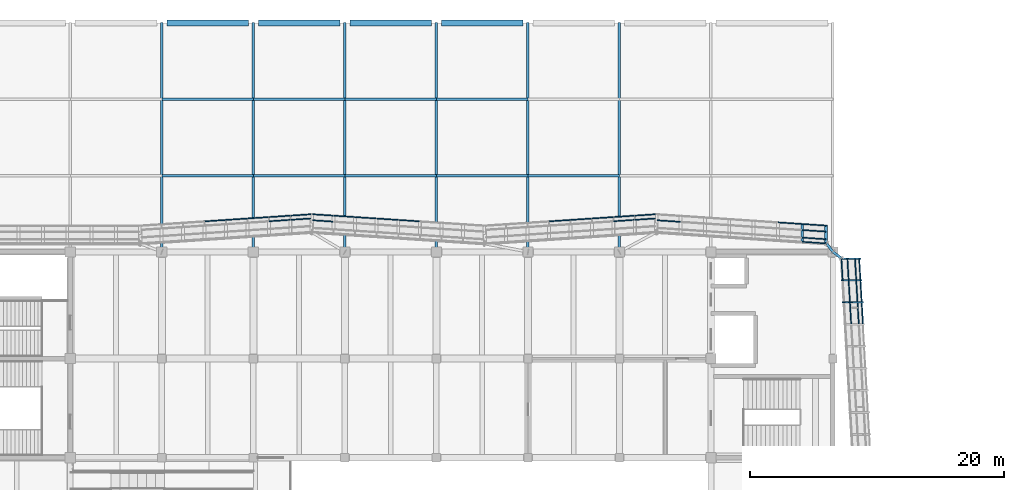
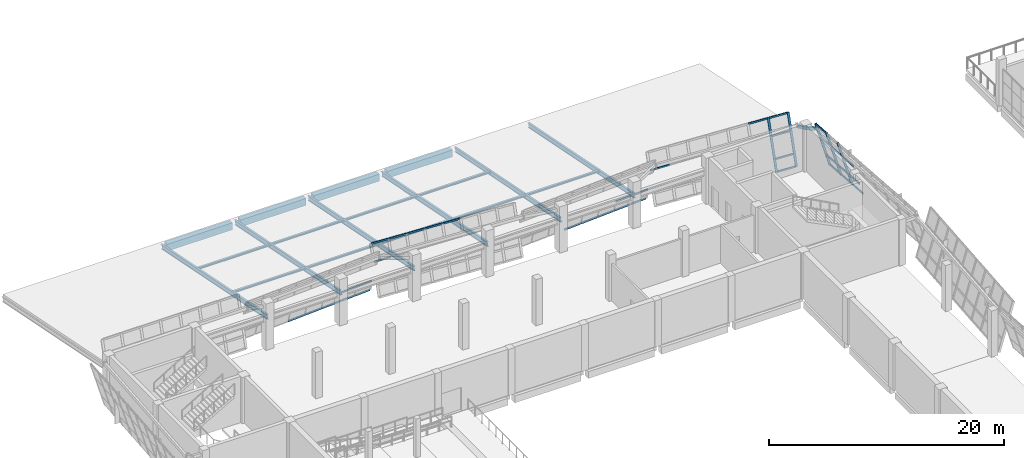
# One storey, part 31 of 79: 50 members, 12 beams, 5 elements without a shape of their own.
"""IFC4 building model written with IfcOpenShell, lengths in metres."""

from ifc_helpers import new_model, si_unit, direction, frame, origin, origin_2d, place, context, subcontext, project, spatial, rectangle, hollow_rectangle, i_section, extrude, material, material_profile, profile_set, type_object, element, aggregate, save


model = new_model("IFC4")

# Units and contexts
model_context = context("Model", 3, precision=1e-05, world=origin(), true_north=direction((0.0, 1.0)))
body_context = subcontext(model_context, "Body", "Model", "MODEL_VIEW")
ifc_project = project(units=[si_unit("LENGTHUNIT", "METRE"), si_unit("AREAUNIT", "SQUARE_METRE"), si_unit("VOLUMEUNIT", "CUBIC_METRE"), si_unit("PLANEANGLEUNIT", "RADIAN"), si_unit("MASSUNIT", "GRAM", prefix="KILO")], contexts=[model_context])

# Site, building, storey
site_placement = place(None, origin())
site = spatial("IfcSite", under=ifc_project, at=site_placement, CompositionType="ELEMENT")
building_placement = place(site_placement, origin())
building = spatial("IfcBuilding", under=site, at=building_placement, Name="Pellamere Symphony Hall", CompositionType="ELEMENT")
storey_placement = place(building_placement, frame((0.0, 0.0, 10.199951171875)))
storey = spatial("IfcBuildingStorey", under=building, at=storey_placement, Name="L02", CompositionType="ELEMENT", Elevation=10.199951171875)

# Curtain wall, members
ifc_material_1 = material(Name="Thermally Broken Anodised Aluminium 6063-T6 Curtain Wall", Category="aluminium")
curtain_wall_type = type_object("IfcCurtainWallType", Name="Curtain Wall CW-01 (Tilted Faceted Crystal Low-Iron Curtain Wall)", PredefinedType="NOTDEFINED", material=ifc_material_1)
curtain_wall_1_placement = place(storey_placement, origin())
curtain_wall_1 = element("IfcCurtainWall", 1, at=curtain_wall_1_placement, inside=storey, type_object=curtain_wall_type, Name="Crystal Faceted Curtain Wall CW-CR09 (L02)", PredefinedType="NOTDEFINED")
ifc_material_2 = material(Name="Anodised Architectural Aluminium 6063-T6", Category="aluminium")
ifc_material_profile_1 = material_profile(ifc_material_2, hollow_rectangle(XDim=0.074951171875, YDim=0.219970703125, WallThickness=0.0048828125, at=origin_2d()), Name="ALU-M75X220X5")
ifc_profile_set_1 = profile_set([ifc_material_profile_1], Name="Anodised Architectural Aluminium 6063-T6")
member_type_1 = type_object("IfcMemberType", Name="Curtain Wall Mullion ML-01 ALU-M75X220X5", PredefinedType="MULLION", material=ifc_profile_set_1)
member_1_placement = place(storey_placement, frame((121.07177734375, 89.63330078125, 0.0), z_axis=(-0.284021911736, 0.0, 0.9588177896), x_axis=(-0.055224582463, 0.998339941676, -0.016358678005)))
member_1 = element("IfcMember", 2, at=member_1_placement, type_object=member_type_1, Name="CW1-019 crystal mullion 8", PredefinedType="MULLION", context=body_context, shape_type="SweptSolid", body=[
    extrude(hollow_rectangle(XDim=0.074951171875, YDim=0.219970703125, WallThickness=0.0048828125, at=origin_2d()), origin(), (0.0, 0.0, 1.0), 5.006103515625),
])
member_2_placement = place(storey_placement, frame((120.9716796875, 91.36669921875, 0.0), z_axis=(-0.283977077304, 0.0, 0.958831069358), x_axis=(-0.055225347331, 0.998339941676, -0.016356095697)))
member_2 = element("IfcMember", 3, at=member_2_placement, type_object=member_type_1, Name="CW1-019 crystal mullion 9", PredefinedType="MULLION", context=body_context, shape_type="SweptSolid", body=[
    extrude(hollow_rectangle(XDim=0.074951171875, YDim=0.219970703125, WallThickness=0.0048828125, at=origin_2d()), origin(), (0.0, 0.0, 1.0), 5.006103515625),
])
member_3_placement = place(storey_placement, frame((120.8740234375, 93.0625, 0.0), z_axis=(-0.284021911736, 0.0, 0.9588177896), x_axis=(-0.055224582463, 0.998339941676, -0.016358678005)))
member_3 = element("IfcMember", 4, at=member_3_placement, type_object=member_type_1, Name="CW1-019 crystal mullion 10", PredefinedType="MULLION", context=body_context, shape_type="SweptSolid", body=[
    extrude(hollow_rectangle(XDim=0.074951171875, YDim=0.219970703125, WallThickness=0.0048828125, at=origin_2d()), origin(), (0.0, 0.0, 1.0), 5.006103515625),
])

curtain_wall_2_placement = place(storey_placement, origin())
curtain_wall_2 = element("IfcCurtainWall", 5, at=curtain_wall_2_placement, inside=storey, type_object=curtain_wall_type, Name="Crystal Faceted Curtain Wall CW-CR10 (L02)", PredefinedType="NOTDEFINED")
member_4_placement = place(storey_placement, frame((118.2626953125, 94.25244140625, 0.0), z_axis=(0.0, 0.284021911736, 0.9588177896), x_axis=(0.067013200006, 0.956662452506, -0.283383455745)))
member_4 = element("IfcMember", 6, at=member_4_placement, type_object=member_type_1, Name="CW1-022 crystal mullion 1", PredefinedType="MULLION", context=body_context, shape_type="SweptSolid", body=[
    extrude(hollow_rectangle(XDim=0.074951171875, YDim=0.219970703125, WallThickness=0.0048828125, at=origin_2d()), origin(), (0.0, 0.0, 1.0), 5.006103515625),
])
member_5_placement = place(storey_placement, frame((116.3857421875, 94.378662109375, 0.0), z_axis=(0.0, 0.283977077304, 0.958831069358), x_axis=(0.067013200006, 0.956675702412, -0.283338722097)))
member_5 = element("IfcMember", 7, at=member_5_placement, type_object=member_type_1, Name="CW1-022 crystal mullion 2", PredefinedType="MULLION", context=body_context, shape_type="SweptSolid", body=[
    extrude(hollow_rectangle(XDim=0.074951171875, YDim=0.219970703125, WallThickness=0.0048828125, at=origin_2d()), origin(), (0.0, 0.0, 1.0), 5.006103515625),
])

# Member
ifc_material_profile_2 = material_profile(ifc_material_2, hollow_rectangle(XDim=0.074951171875, YDim=0.179931640625, WallThickness=0.0048828125, at=origin_2d()), Name="ALU-T75X180X5")
ifc_profile_set_2 = profile_set([ifc_material_profile_2], Name="Anodised Architectural Aluminium 6063-T6")
member_type_2 = type_object("IfcMemberType", Name="Curtain Wall Transom TR-01 ALU-T75X180X5", PredefinedType="USERDEFINED", material=ifc_profile_set_2)
member_6_placement = place(storey_placement, frame((121.158935546875, 87.9375, 0.035888671875), z_axis=(-0.057610619545, 0.998339129012, 0.0), x_axis=(-0.998339129012, -0.057610619545, 0.0)))
member_6 = element("IfcMember", 8, at=member_6_placement, type_object=member_type_2, Name="CW1-019 crystal transom 7.1", ObjectType="TRANSOM", PredefinedType="USERDEFINED", context=body_context, shape_type="SweptSolid", body=[
    extrude(hollow_rectangle(XDim=0.074951171875, YDim=0.179931640625, WallThickness=0.0048828125, at=origin_2d()), origin(), (0.0, 0.0, 1.0), 1.6611328125),
])

member_7_placement = place(storey_placement, frame((120.828369140625, 87.9375, 1.152099609375), z_axis=(-0.057610619545, 0.998339129012, 0.0), x_axis=(-0.998339129012, -0.057610619545, 0.0)))
member_7 = element("IfcMember", 9, at=member_7_placement, type_object=member_type_2, Name="CW1-019 crystal transom 7.2", ObjectType="TRANSOM", PredefinedType="USERDEFINED", context=body_context, shape_type="SweptSolid", body=[
    extrude(hollow_rectangle(XDim=0.074951171875, YDim=0.179931640625, WallThickness=0.0048828125, at=origin_2d()), origin(), (0.0, 0.0, 1.0), 1.6611328125),
])

member_8_placement = place(storey_placement, frame((120.231201171875, 87.9375, 3.16796875), z_axis=(-0.057610619545, 0.998339129012, 0.0), x_axis=(-0.998339129012, -0.057610619545, 0.0)))
member_8 = element("IfcMember", 10, at=member_8_placement, type_object=member_type_2, Name="CW1-019 crystal transom 7.3", ObjectType="TRANSOM", PredefinedType="USERDEFINED", context=body_context, shape_type="SweptSolid", body=[
    extrude(hollow_rectangle(XDim=0.074951171875, YDim=0.179931640625, WallThickness=0.0048828125, at=origin_2d()), origin(), (0.0, 0.0, 1.0), 1.6611328125),
])

member_9_placement = place(storey_placement, frame((121.05908203125, 89.670654296875, 0.035888671875), z_axis=(-0.057602168051, 0.998339616682, 0.0), x_axis=(-0.998339616682, -0.057602168051, 0.0)))
member_9 = element("IfcMember", 11, at=member_9_placement, type_object=member_type_2, Name="CW1-019 crystal transom 8.1", ObjectType="TRANSOM", PredefinedType="USERDEFINED", context=body_context, shape_type="SweptSolid", body=[
    extrude(hollow_rectangle(XDim=0.074951171875, YDim=0.179931640625, WallThickness=0.0048828125, at=origin_2d()), origin(), (0.0, 0.0, 1.0), 1.661376953125),
])

member_10_placement = place(storey_placement, frame((120.728515625, 89.670654296875, 1.152099609375), z_axis=(-0.057602168051, 0.998339616682, 0.0), x_axis=(-0.998339616682, -0.057602168051, 0.0)))
member_10 = element("IfcMember", 12, at=member_10_placement, type_object=member_type_2, Name="CW1-019 crystal transom 8.2", ObjectType="TRANSOM", PredefinedType="USERDEFINED", context=body_context, shape_type="SweptSolid", body=[
    extrude(hollow_rectangle(XDim=0.074951171875, YDim=0.179931640625, WallThickness=0.0048828125, at=origin_2d()), origin(), (0.0, 0.0, 1.0), 1.661376953125),
])

member_11_placement = place(storey_placement, frame((120.13134765625, 89.670654296875, 3.16796875), z_axis=(-0.057602168051, 0.998339616682, 0.0), x_axis=(-0.998339616682, -0.057602168051, 0.0)))
member_11 = element("IfcMember", 13, at=member_11_placement, type_object=member_type_2, Name="CW1-019 crystal transom 8.3", ObjectType="TRANSOM", PredefinedType="USERDEFINED", context=body_context, shape_type="SweptSolid", body=[
    extrude(hollow_rectangle(XDim=0.074951171875, YDim=0.179931640625, WallThickness=0.0048828125, at=origin_2d()), origin(), (0.0, 0.0, 1.0), 1.661376953125),
])

member_12_placement = place(storey_placement, frame((120.958984375, 91.404052734375, 0.035888671875), z_axis=(-0.057585007883, 0.99834060664, 0.0), x_axis=(-0.99834060664, -0.057585007883, 0.0)))
member_12 = element("IfcMember", 14, at=member_12_placement, type_object=member_type_2, Name="CW1-019 crystal transom 9.1", ObjectType="TRANSOM", PredefinedType="USERDEFINED", context=body_context, shape_type="SweptSolid", body=[
    extrude(hollow_rectangle(XDim=0.074951171875, YDim=0.179931640625, WallThickness=0.0048828125, at=origin_2d()), origin(), (0.0, 0.0, 1.0), 1.623779296875),
])

member_13_placement = place(storey_placement, frame((120.62841796875, 91.404052734375, 1.152099609375), z_axis=(-0.057585007883, 0.99834060664, 0.0), x_axis=(-0.99834060664, -0.057585007883, 0.0)))
member_13 = element("IfcMember", 15, at=member_13_placement, type_object=member_type_2, Name="CW1-019 crystal transom 9.2", ObjectType="TRANSOM", PredefinedType="USERDEFINED", context=body_context, shape_type="SweptSolid", body=[
    extrude(hollow_rectangle(XDim=0.074951171875, YDim=0.179931640625, WallThickness=0.0048828125, at=origin_2d()), origin(), (0.0, 0.0, 1.0), 1.623779296875),
])

member_14_placement = place(storey_placement, frame((120.03125, 91.404052734375, 3.16796875), z_axis=(-0.057585007883, 0.99834060664, 0.0), x_axis=(-0.99834060664, -0.057585007883, 0.0)))
member_14 = element("IfcMember", 16, at=member_14_placement, type_object=member_type_2, Name="CW1-019 crystal transom 9.3", ObjectType="TRANSOM", PredefinedType="USERDEFINED", context=body_context, shape_type="SweptSolid", body=[
    extrude(hollow_rectangle(XDim=0.074951171875, YDim=0.179931640625, WallThickness=0.0048828125, at=origin_2d()), origin(), (0.0, 0.0, 1.0), 1.623779296875),
])

member_15_placement = place(storey_placement, frame((119.55859375, 91.404052734375, 4.76416015625), z_axis=(-0.057585007883, 0.99834060664, 0.0), x_axis=(-0.99834060664, -0.057585007883, 0.0)))
member_15 = element("IfcMember", 17, at=member_15_placement, type_object=member_type_2, Name="CW1-019 crystal transom 9.4", ObjectType="TRANSOM", PredefinedType="USERDEFINED", context=body_context, shape_type="SweptSolid", body=[
    extrude(hollow_rectangle(XDim=0.074951171875, YDim=0.179931640625, WallThickness=0.0048828125, at=origin_2d()), origin(), (0.0, 0.0, 1.0), 1.623779296875),
])

aggregate(curtain_wall_1, [member_1, member_2, member_3, member_6, member_7, member_8, member_9, member_10, member_11, member_12, member_13, member_14, member_15])

member_16_placement = place(storey_placement, frame((118.22509765625, 94.265625, 0.035888671875), z_axis=(-0.997749727577, 0.067048349123, 0.0), x_axis=(-0.067048349123, -0.997749727577, 0.0)))
member_16 = element("IfcMember", 18, at=member_16_placement, type_object=member_type_2, Name="CW1-022 crystal transom 1.1", ObjectType="TRANSOM", PredefinedType="USERDEFINED", context=body_context, shape_type="SweptSolid", body=[
    extrude(hollow_rectangle(XDim=0.074951171875, YDim=0.179931640625, WallThickness=0.0048828125, at=origin_2d()), origin(), (0.0, 0.0, 1.0), 1.80615234375),
])

member_17_placement = place(storey_placement, frame((118.22509765625, 94.59619140625, 1.152099609375), z_axis=(-0.997749727577, 0.067048349123, 0.0), x_axis=(-0.067048349123, -0.997749727577, 0.0)))
member_17 = element("IfcMember", 19, at=member_17_placement, type_object=member_type_2, Name="CW1-022 crystal transom 1.2", ObjectType="TRANSOM", PredefinedType="USERDEFINED", context=body_context, shape_type="SweptSolid", body=[
    extrude(hollow_rectangle(XDim=0.074951171875, YDim=0.179931640625, WallThickness=0.0048828125, at=origin_2d()), origin(), (0.0, 0.0, 1.0), 1.80615234375),
])

member_18_placement = place(storey_placement, frame((118.22509765625, 95.193359375, 3.16796875), z_axis=(-0.997749727577, 0.067048349123, 0.0), x_axis=(-0.067048349123, -0.997749727577, 0.0)))
member_18 = element("IfcMember", 20, at=member_18_placement, type_object=member_type_2, Name="CW1-022 crystal transom 1.3", ObjectType="TRANSOM", PredefinedType="USERDEFINED", context=body_context, shape_type="SweptSolid", body=[
    extrude(hollow_rectangle(XDim=0.074951171875, YDim=0.179931640625, WallThickness=0.0048828125, at=origin_2d()), origin(), (0.0, 0.0, 1.0), 1.80615234375),
])

member_19_placement = place(storey_placement, frame((118.22509765625, 95.666259765625, 4.76416015625), z_axis=(-0.997758761658, 0.066913776862, 0.0), x_axis=(-0.066913776862, -0.997758761658, 0.0)))
member_19 = element("IfcMember", 21, at=member_19_placement, type_object=member_type_2, Name="CW1-022 crystal transom 1.4", ObjectType="TRANSOM", PredefinedType="USERDEFINED", context=body_context, shape_type="SweptSolid", body=[
    extrude(hollow_rectangle(XDim=0.074951171875, YDim=0.179931640625, WallThickness=0.0048828125, at=origin_2d()), origin(), (0.0, 0.0, 1.0), 1.80615234375),
])

member_20_placement = place(storey_placement, frame((116.348388671875, 95.792236328125, 4.76416015625), z_axis=(-0.997752815695, 0.067002378864, 0.0), x_axis=(-0.067002378864, -0.997752815695, 0.0)))
member_20 = element("IfcMember", 22, at=member_20_placement, type_object=member_type_2, Name="CW1-022 crystal transom 2.4", ObjectType="TRANSOM", PredefinedType="USERDEFINED", context=body_context, shape_type="SweptSolid", body=[
    extrude(hollow_rectangle(XDim=0.074951171875, YDim=0.179931640625, WallThickness=0.0048828125, at=origin_2d()), origin(), (0.0, 0.0, 1.0), 1.84375),
])

member_21_placement = place(storey_placement, frame((106.77685546875, 95.96240234375, 3.16796875), z_axis=(-0.997758761658, 0.066913776862, 0.0), x_axis=(-0.066913776862, -0.997758761658, 0.0)))
member_21 = element("IfcMember", 23, at=member_21_placement, type_object=member_type_2, Name="CW1-022 crystal transom 7.3", ObjectType="TRANSOM", PredefinedType="USERDEFINED", context=body_context, shape_type="SweptSolid", body=[
    extrude(hollow_rectangle(XDim=0.074951171875, YDim=0.179931640625, WallThickness=0.0048828125, at=origin_2d()), origin(), (0.0, 0.0, 1.0), 1.80615234375),
])

aggregate(curtain_wall_2, [member_4, member_5, member_16, member_17, member_18, member_19, member_20, member_21])

# Curtain wall, members
curtain_wall_3_placement = place(storey_placement, origin())
curtain_wall_3 = element("IfcCurtainWall", 24, at=curtain_wall_3_placement, inside=storey, type_object=curtain_wall_type, Name="Crystal Faceted Curtain Wall CW-CR11 (L02)", PredefinedType="NOTDEFINED")
member_22_placement = place(storey_placement, frame((104.8251953125, 96.55615234375, 0.035888671875), z_axis=(-0.997786526209, -0.066498482063, 0.0), x_axis=(0.066498482063, -0.997786526209, 0.0)))
member_22 = element("IfcMember", 25, at=member_22_placement, type_object=member_type_2, Name="CW1-025 crystal transom 1.1", ObjectType="TRANSOM", PredefinedType="USERDEFINED", context=body_context, shape_type="SweptSolid", body=[
    extrude(hollow_rectangle(XDim=0.074951171875, YDim=0.179931640625, WallThickness=0.0048828125, at=origin_2d()), origin(), (0.0, 0.0, 1.0), 1.57861328125),
])
member_23_placement = place(storey_placement, frame((104.8251953125, 96.2255859375, 1.152099609375), z_axis=(-0.997786526209, -0.066498482063, 0.0), x_axis=(0.066498482063, -0.997786526209, 0.0)))
member_23 = element("IfcMember", 26, at=member_23_placement, type_object=member_type_2, Name="CW1-025 crystal transom 1.2", ObjectType="TRANSOM", PredefinedType="USERDEFINED", context=body_context, shape_type="SweptSolid", body=[
    extrude(hollow_rectangle(XDim=0.074951171875, YDim=0.179931640625, WallThickness=0.0048828125, at=origin_2d()), origin(), (0.0, 0.0, 1.0), 1.57861328125),
])
member_24_placement = place(storey_placement, frame((103.175048828125, 96.446044921875, 0.035888671875), z_axis=(-0.997788498757, -0.06646887804, 0.0), x_axis=(0.06646887804, -0.997788498757, 0.0)))
member_24 = element("IfcMember", 27, at=member_24_placement, type_object=member_type_2, Name="CW1-025 crystal transom 2.1", ObjectType="TRANSOM", PredefinedType="USERDEFINED", context=body_context, shape_type="SweptSolid", body=[
    extrude(hollow_rectangle(XDim=0.074951171875, YDim=0.179931640625, WallThickness=0.0048828125, at=origin_2d()), origin(), (0.0, 0.0, 1.0), 1.6162109375),
])
member_25_placement = place(storey_placement, frame((103.175048828125, 96.115478515625, 1.152099609375), z_axis=(-0.997788498757, -0.06646887804, 0.0), x_axis=(0.06646887804, -0.997788498757, 0.0)))
member_25 = element("IfcMember", 28, at=member_25_placement, type_object=member_type_2, Name="CW1-025 crystal transom 2.2", ObjectType="TRANSOM", PredefinedType="USERDEFINED", context=body_context, shape_type="SweptSolid", body=[
    extrude(hollow_rectangle(XDim=0.074951171875, YDim=0.179931640625, WallThickness=0.0048828125, at=origin_2d()), origin(), (0.0, 0.0, 1.0), 1.6162109375),
])
member_26_placement = place(storey_placement, frame((101.487548828125, 96.333740234375, 0.035888671875), z_axis=(-0.997778468566, -0.06661927398, 0.0), x_axis=(0.06661927398, -0.997778468566, 0.0)))
member_26 = element("IfcMember", 29, at=member_26_placement, type_object=member_type_2, Name="CW1-025 crystal transom 3.1", ObjectType="TRANSOM", PredefinedType="USERDEFINED", context=body_context, shape_type="SweptSolid", body=[
    extrude(hollow_rectangle(XDim=0.074951171875, YDim=0.179931640625, WallThickness=0.0048828125, at=origin_2d()), origin(), (0.0, 0.0, 1.0), 1.6162109375),
])
member_27_placement = place(storey_placement, frame((99.800048828125, 96.22119140625, 0.035888671875), z_axis=(-0.997778468566, -0.06661927398, 0.0), x_axis=(0.06661927398, -0.997778468566, 0.0)))
member_27 = element("IfcMember", 30, at=member_27_placement, type_object=member_type_2, Name="CW1-025 crystal transom 4.1", ObjectType="TRANSOM", PredefinedType="USERDEFINED", context=body_context, shape_type="SweptSolid", body=[
    extrude(hollow_rectangle(XDim=0.074951171875, YDim=0.179931640625, WallThickness=0.0048828125, at=origin_2d()), origin(), (0.0, 0.0, 1.0), 1.6162109375),
])
member_28_placement = place(storey_placement, frame((98.112548828125, 96.108642578125, 0.035888671875), z_axis=(-0.997788498757, -0.06646887804, 0.0), x_axis=(0.06646887804, -0.997788498757, 0.0)))
member_28 = element("IfcMember", 31, at=member_28_placement, type_object=member_type_2, Name="CW1-025 crystal transom 5.1", ObjectType="TRANSOM", PredefinedType="USERDEFINED", context=body_context, shape_type="SweptSolid", body=[
    extrude(hollow_rectangle(XDim=0.074951171875, YDim=0.179931640625, WallThickness=0.0048828125, at=origin_2d()), origin(), (0.0, 0.0, 1.0), 1.6162109375),
])
aggregate(curtain_wall_3, [member_22, member_23, member_24, member_25, member_26, member_27, member_28])

curtain_wall_4_placement = place(storey_placement, origin())
curtain_wall_4 = element("IfcCurtainWall", 32, at=curtain_wall_4_placement, inside=storey, type_object=curtain_wall_type, Name="Crystal Faceted Curtain Wall CW-CR12 (L02)", PredefinedType="NOTDEFINED")
member_29_placement = place(storey_placement, frame((86.2626953125, 96.001220703125, 4.76416015625), z_axis=(-0.997822801026, 0.065951935174, 0.0), x_axis=(-0.065951935174, -0.997822801026, 0.0)))
member_29 = element("IfcMember", 33, at=member_29_placement, type_object=member_type_2, Name="CW1-028 crystal transom 4.4", ObjectType="TRANSOM", PredefinedType="USERDEFINED", context=body_context, shape_type="SweptSolid", body=[
    extrude(hollow_rectangle(XDim=0.074951171875, YDim=0.179931640625, WallThickness=0.0048828125, at=origin_2d()), origin(), (0.0, 0.0, 1.0), 1.62890625),
])
member_30_placement = place(storey_placement, frame((84.5625, 96.113525390625, 4.76416015625), z_axis=(-0.997812270832, 0.066111059411, 0.0), x_axis=(-0.066111059411, -0.997812270832, 0.0)))
member_30 = element("IfcMember", 34, at=member_30_placement, type_object=member_type_2, Name="CW1-028 crystal transom 5.4", ObjectType="TRANSOM", PredefinedType="USERDEFINED", context=body_context, shape_type="SweptSolid", body=[
    extrude(hollow_rectangle(XDim=0.074951171875, YDim=0.179931640625, WallThickness=0.0048828125, at=origin_2d()), origin(), (0.0, 0.0, 1.0), 1.628662109375),
])
member_31_placement = place(storey_placement, frame((82.862548828125, 96.22607421875, 4.76416015625), z_axis=(-0.9978129259, 0.066101171747, 0.0), x_axis=(-0.066101171747, -0.9978129259, 0.0)))
member_31 = element("IfcMember", 35, at=member_31_placement, type_object=member_type_2, Name="CW1-028 crystal transom 6.4", ObjectType="TRANSOM", PredefinedType="USERDEFINED", context=body_context, shape_type="SweptSolid", body=[
    extrude(hollow_rectangle(XDim=0.074951171875, YDim=0.179931640625, WallThickness=0.0048828125, at=origin_2d()), origin(), (0.0, 0.0, 1.0), 1.62890625),
])
member_32_placement = place(storey_placement, frame((81.16259765625, 96.338623046875, 4.76416015625), z_axis=(-0.9978129259, 0.066101171747, 0.0), x_axis=(-0.066101171747, -0.9978129259, 0.0)))
member_32 = element("IfcMember", 36, at=member_32_placement, type_object=member_type_2, Name="CW1-028 crystal transom 7.4", ObjectType="TRANSOM", PredefinedType="USERDEFINED", context=body_context, shape_type="SweptSolid", body=[
    extrude(hollow_rectangle(XDim=0.074951171875, YDim=0.179931640625, WallThickness=0.0048828125, at=origin_2d()), origin(), (0.0, 0.0, 1.0), 1.62890625),
])
member_33_placement = place(storey_placement, frame((79.462646484375, 95.978271484375, 3.16796875), z_axis=(-0.997811553112, 0.06612189105, 0.0), x_axis=(-0.06612189105, -0.997811553112, 0.0)))
member_33 = element("IfcMember", 37, at=member_33_placement, type_object=member_type_2, Name="CW1-028 crystal transom 8.3", ObjectType="TRANSOM", PredefinedType="USERDEFINED", context=body_context, shape_type="SweptSolid", body=[
    extrude(hollow_rectangle(XDim=0.074951171875, YDim=0.179931640625, WallThickness=0.0048828125, at=origin_2d()), origin(), (0.0, 0.0, 1.0), 1.59130859375),
])
member_34_placement = place(storey_placement, frame((79.462646484375, 96.451171875, 4.76416015625), z_axis=(-0.997821663418, 0.065969144414, 0.0), x_axis=(-0.065969144414, -0.997821663418, 0.0)))
member_34 = element("IfcMember", 38, at=member_34_placement, type_object=member_type_2, Name="CW1-028 crystal transom 8.4", ObjectType="TRANSOM", PredefinedType="USERDEFINED", context=body_context, shape_type="SweptSolid", body=[
    extrude(hollow_rectangle(XDim=0.074951171875, YDim=0.179931640625, WallThickness=0.0048828125, at=origin_2d()), origin(), (0.0, 0.0, 1.0), 1.59130859375),
])
aggregate(curtain_wall_4, [member_29, member_30, member_31, member_32, member_33, member_34])

curtain_wall_5_placement = place(storey_placement, origin())
curtain_wall_5 = element("IfcCurtainWall", 39, at=curtain_wall_5_placement, inside=storey, type_object=curtain_wall_type, Name="Crystal Faceted Curtain Wall CW-CR13 (L02)", PredefinedType="NOTDEFINED")
member_35_placement = place(storey_placement, frame((77.72509765625, 96.55615234375, 0.035888671875), z_axis=(-0.997786526209, -0.066498482063, 0.0), x_axis=(0.066498482063, -0.997786526209, 0.0)))
member_35 = element("IfcMember", 40, at=member_35_placement, type_object=member_type_2, Name="CW1-031 crystal transom 1.1", ObjectType="TRANSOM", PredefinedType="USERDEFINED", context=body_context, shape_type="SweptSolid", body=[
    extrude(hollow_rectangle(XDim=0.074951171875, YDim=0.179931640625, WallThickness=0.0048828125, at=origin_2d()), origin(), (0.0, 0.0, 1.0), 1.57861328125),
])
member_36_placement = place(storey_placement, frame((77.72509765625, 96.2255859375, 1.152099609375), z_axis=(-0.997786526209, -0.066498482063, 0.0), x_axis=(0.066498482063, -0.997786526209, 0.0)))
member_36 = element("IfcMember", 41, at=member_36_placement, type_object=member_type_2, Name="CW1-031 crystal transom 1.2", ObjectType="TRANSOM", PredefinedType="USERDEFINED", context=body_context, shape_type="SweptSolid", body=[
    extrude(hollow_rectangle(XDim=0.074951171875, YDim=0.179931640625, WallThickness=0.0048828125, at=origin_2d()), origin(), (0.0, 0.0, 1.0), 1.57861328125),
])
member_37_placement = place(storey_placement, frame((76.0751953125, 96.446044921875, 0.035888671875), z_axis=(-0.997789166031, -0.066458860589, 0.0), x_axis=(0.066458860589, -0.997789166031, 0.0)))
member_37 = element("IfcMember", 42, at=member_37_placement, type_object=member_type_2, Name="CW1-031 crystal transom 2.1", ObjectType="TRANSOM", PredefinedType="USERDEFINED", context=body_context, shape_type="SweptSolid", body=[
    extrude(hollow_rectangle(XDim=0.074951171875, YDim=0.179931640625, WallThickness=0.0048828125, at=origin_2d()), origin(), (0.0, 0.0, 1.0), 1.616455078125),
])
member_38_placement = place(storey_placement, frame((76.0751953125, 96.115478515625, 1.152099609375), z_axis=(-0.997789166031, -0.066458860589, 0.0), x_axis=(0.066458860589, -0.997789166031, 0.0)))
member_38 = element("IfcMember", 43, at=member_38_placement, type_object=member_type_2, Name="CW1-031 crystal transom 2.2", ObjectType="TRANSOM", PredefinedType="USERDEFINED", context=body_context, shape_type="SweptSolid", body=[
    extrude(hollow_rectangle(XDim=0.074951171875, YDim=0.179931640625, WallThickness=0.0048828125, at=origin_2d()), origin(), (0.0, 0.0, 1.0), 1.616455078125),
])
member_39_placement = place(storey_placement, frame((74.3876953125, 96.333740234375, 0.035888671875), z_axis=(-0.997779138857, -0.066609234065, 0.0), x_axis=(0.066609234065, -0.997779138857, 0.0)))
member_39 = element("IfcMember", 44, at=member_39_placement, type_object=member_type_2, Name="CW1-031 crystal transom 3.1", ObjectType="TRANSOM", PredefinedType="USERDEFINED", context=body_context, shape_type="SweptSolid", body=[
    extrude(hollow_rectangle(XDim=0.074951171875, YDim=0.179931640625, WallThickness=0.0048828125, at=origin_2d()), origin(), (0.0, 0.0, 1.0), 1.616455078125),
])
member_40_placement = place(storey_placement, frame((72.7001953125, 96.22119140625, 0.035888671875), z_axis=(-0.997779138857, -0.066609234065, 0.0), x_axis=(0.066609234065, -0.997779138857, 0.0)))
member_40 = element("IfcMember", 45, at=member_40_placement, type_object=member_type_2, Name="CW1-031 crystal transom 4.1", ObjectType="TRANSOM", PredefinedType="USERDEFINED", context=body_context, shape_type="SweptSolid", body=[
    extrude(hollow_rectangle(XDim=0.074951171875, YDim=0.179931640625, WallThickness=0.0048828125, at=origin_2d()), origin(), (0.0, 0.0, 1.0), 1.616455078125),
])
member_41_placement = place(storey_placement, frame((71.0126953125, 96.108642578125, 0.035888671875), z_axis=(-0.997789166031, -0.066458860589, 0.0), x_axis=(0.066458860589, -0.997789166031, 0.0)))
member_41 = element("IfcMember", 46, at=member_41_placement, type_object=member_type_2, Name="CW1-031 crystal transom 5.1", ObjectType="TRANSOM", PredefinedType="USERDEFINED", context=body_context, shape_type="SweptSolid", body=[
    extrude(hollow_rectangle(XDim=0.074951171875, YDim=0.179931640625, WallThickness=0.0048828125, at=origin_2d()), origin(), (0.0, 0.0, 1.0), 1.616455078125),
])
aggregate(curtain_wall_5, [member_35, member_36, member_37, member_38, member_39, member_40, member_41])

# Beams
ifc_material_3 = material(Name="Concrete 40 MPa", Category="concrete")
ifc_material_profile_3 = material_profile(ifc_material_3, rectangle(XDim=0.47998046875, YDim=0.719970703125, at=origin_2d()), Name="RC 480x720")
ifc_profile_set_3 = profile_set([ifc_material_profile_3], Name="Concrete 40 MPa")
beam_type_1 = type_object("IfcBeamType", Name="RC CB-14 480x720", PredefinedType="SPANDREL", material=ifc_profile_set_3)
beam_placement = place(storey_placement, frame((66.389892578125, 111.60009765625, -0.639892578125), z_axis=(1.0, 0.0, 0.0), x_axis=(0.0, 1.0, 0.0)))
element("IfcBeam", 47, at=beam_placement, inside=storey, type_object=beam_type_1, Name="Girder CB-14-X1206 (L02)", PredefinedType="SPANDREL", context=body_context, shape_type="SweptSolid", body=[
    extrude(rectangle(XDim=0.47998046875, YDim=0.719970703125, at=origin_2d()), origin(), (0.0, 0.0, 1.0), 6.420166015625),
])
for number, where, z_axis, x_axis, name in (
    (48, (73.590087890625, 111.60009765625, -0.639892578125), (1.0, 0.0, 0.0), (0.0, 1.0, 0.0), "Girder CB-14-X1207 (L02)"),
    (49, (80.7900390625, 111.60009765625, -0.639892578125), (1.0, 0.0, 0.0), (0.0, 1.0, 0.0), "Girder CB-14-X1208 (L02)"),
    (50, (87.989990234375, 111.60009765625, -0.639892578125), (1.0, 0.0, 0.0), (0.0, 1.0, 0.0), "Girder CB-14-X1209 (L02)"),
):
    element("IfcBeam", number, at=place(storey_placement, frame(where, z_axis=z_axis, x_axis=x_axis)), inside=storey, type_object=beam_type_1, Name=name, PredefinedType="SPANDREL", context=body_context, shape_type="SweptSolid", body=[
        extrude(rectangle(XDim=0.47998046875, YDim=0.719970703125, at=origin_2d()), origin(), (0.0, 0.0, 1.0), 6.419921875),
    ])
ifc_material_4 = material(Name="Steel CSA G40.21 350W", Category="steel")
ifc_material_profile_4 = material_profile(ifc_material_4, i_section(OverallWidth=0.194091796875, OverallDepth=0.468994140625, WebThickness=0.011474609375, FlangeThickness=0.019287109375, at=origin_2d()), Name="W460X106")
ifc_profile_set_4 = profile_set([ifc_material_profile_4], Name="Steel CSA G40.21 350W")
beam_type_2 = type_object("IfcBeamType", Name="Steel Beam SB-16 W460X106", PredefinedType="BEAM", material=ifc_profile_set_4)
for number, where, z_axis, x_axis, name in (
    (51, (66.0, 93.60009765625, 3.10009765625), (0.0, 0.980788871826, -0.195072265848), (-1.0, 0.0, 0.0), "Rehearsal Roof Steel Rafter 03"),
    (52, (73.199951171875, 93.60009765625, 3.10009765625), (0.0, 0.980788871826, -0.195072265848), (-1.0, 0.0, 0.0), "Rehearsal Roof Steel Rafter 04"),
    (53, (80.39990234375, 93.60009765625, 3.10009765625), (0.0, 0.980788871826, -0.195072265848), (-1.0, 0.0, 0.0), "Rehearsal Roof Steel Rafter 05"),
    (54, (87.60009765625, 93.60009765625, 3.10009765625), (0.0, 0.980788871826, -0.195072265848), (-1.0, 0.0, 0.0), "Rehearsal Roof Steel Rafter 06"),
    (55, (94.800048828125, 93.60009765625, 3.10009765625), (0.0, 0.980788871826, -0.195072265848), (-1.0, 0.0, 0.0), "Rehearsal Roof Steel Rafter 07"),
    (56, (102.0, 93.60009765625, 3.10009765625), (0.0, 0.980788871826, -0.195072265848), (-1.0, 0.0, 0.0), "Rehearsal Roof Steel Rafter 08"),
):
    element("IfcBeam", number, at=place(storey_placement, frame(where, z_axis=z_axis, x_axis=x_axis)), inside=storey, type_object=beam_type_2, Name=name, PredefinedType="BEAM", context=body_context, shape_type="SweptSolid", body=[
        extrude(i_section(OverallWidth=0.194091796875, OverallDepth=0.468994140625, WebThickness=0.011474609375, FlangeThickness=0.019287109375, at=origin_2d()), origin(), (0.0, 0.0, 1.0), 18.3525390625),
    ])

# Members
ifc_material_profile_5 = material_profile(ifc_material_4, i_section(OverallWidth=0.2041015625, OverallDepth=0.2060546875, WebThickness=0.0078125, FlangeThickness=0.0126953125, at=origin_2d()), Name="W200X52")
ifc_profile_set_5 = profile_set([ifc_material_profile_5], Name="Steel CSA G40.21 350W")
member_type_3 = type_object("IfcMemberType", Name="Steel Member SM-15 W200X52", PredefinedType="PURLIN", material=ifc_profile_set_5)
for number, where, z_axis, x_axis, name in (
    (57, (66.0, 99.60009765625, 2.0400390625), (1.0, 0.0, 0.0), (0.0, 1.0, 0.0), "Rehearsal Roof Steel Purlin 3.99"),
    (58, (66.0, 105.60009765625, 0.840087890625), (1.0, 0.0, 0.0), (0.0, 1.0, 0.0), "Rehearsal Roof Steel Purlin 3.105"),
    (59, (73.199951171875, 99.60009765625, 2.0400390625), (1.0, 0.0, 0.0), (0.0, 1.0, 0.0), "Rehearsal Roof Steel Purlin 4.99"),
    (60, (73.199951171875, 105.60009765625, 0.840087890625), (1.0, 0.0, 0.0), (0.0, 1.0, 0.0), "Rehearsal Roof Steel Purlin 4.105"),
):
    element("IfcMember", number, at=place(storey_placement, frame(where, z_axis=z_axis, x_axis=x_axis)), inside=storey, type_object=member_type_3, Name=name, PredefinedType="PURLIN", context=body_context, shape_type="SweptSolid", body=[
        extrude(i_section(OverallWidth=0.2041015625, OverallDepth=0.2060546875, WebThickness=0.0078125, FlangeThickness=0.0126953125, at=origin_2d()), origin(), (0.0, 0.0, 1.0), 7.199951171875),
    ])
for number, where, z_axis, x_axis, name in (
    (61, (80.39990234375, 99.60009765625, 2.0400390625), (1.0, 0.0, 0.0), (0.0, 1.0, 0.0), "Rehearsal Roof Steel Purlin 5.99"),
    (62, (80.39990234375, 105.60009765625, 0.840087890625), (1.0, 0.0, 0.0), (0.0, 1.0, 0.0), "Rehearsal Roof Steel Purlin 5.105"),
):
    element("IfcMember", number, at=place(storey_placement, frame(where, z_axis=z_axis, x_axis=x_axis)), inside=storey, type_object=member_type_3, Name=name, PredefinedType="PURLIN", context=body_context, shape_type="SweptSolid", body=[
        extrude(i_section(OverallWidth=0.2041015625, OverallDepth=0.2060546875, WebThickness=0.0078125, FlangeThickness=0.0126953125, at=origin_2d()), origin(), (0.0, 0.0, 1.0), 7.2001953125),
    ])
for number, where, z_axis, x_axis, name in (
    (63, (87.60009765625, 99.60009765625, 2.0400390625), (1.0, 0.0, 0.0), (0.0, 1.0, 0.0), "Rehearsal Roof Steel Purlin 6.99"),
    (64, (87.60009765625, 105.60009765625, 0.840087890625), (1.0, 0.0, 0.0), (0.0, 1.0, 0.0), "Rehearsal Roof Steel Purlin 6.105"),
    (65, (94.800048828125, 99.60009765625, 2.0400390625), (1.0, 0.0, 0.0), (0.0, 1.0, 0.0), "Rehearsal Roof Steel Purlin 7.99"),
):
    element("IfcMember", number, at=place(storey_placement, frame(where, z_axis=z_axis, x_axis=x_axis)), inside=storey, type_object=member_type_3, Name=name, PredefinedType="PURLIN", context=body_context, shape_type="SweptSolid", body=[
        extrude(i_section(OverallWidth=0.2041015625, OverallDepth=0.2060546875, WebThickness=0.0078125, FlangeThickness=0.0126953125, at=origin_2d()), origin(), (0.0, 0.0, 1.0), 7.199951171875),
    ])

# Beams
ifc_material_profile_6 = material_profile(ifc_material_4, hollow_rectangle(XDim=0.203125, YDim=0.3046875, WallThickness=0.0126953125, at=origin_2d()), Name="HSS305X203X13")
ifc_profile_set_6 = profile_set([ifc_material_profile_6], Name="Steel CSA G40.21 350W")
beam_type_3 = type_object("IfcBeamType", Name="Steel Spandrel SB-26 HSS305X203X13", PredefinedType="SPANDREL", material=ifc_profile_set_6)
for number, where, z_axis, x_axis, name in (
    (66, (118.800048828125, 93.60009765625, 4.239990234375), (0.792579713642, -0.609768314627, 0.0), (0.609768314627, 0.792579713642, 0.0), "Crystal Ring Outrigger Bracket 043 (L02)"),
    (67, (118.800048828125, 93.60009765625, 4.239990234375), (-0.609768314627, 0.792579713642, 0.0), (-0.792579713642, -0.609768314627, 0.0), "Crystal Ring Outrigger Bracket 049 (L02)"),
):
    element("IfcBeam", number, at=place(storey_placement, frame(where, z_axis=z_axis, x_axis=x_axis)), inside=storey, type_object=beam_type_3, Name=name, PredefinedType="SPANDREL", context=body_context, shape_type="SweptSolid", body=[
        extrude(hollow_rectangle(XDim=0.203125, YDim=0.3046875, WallThickness=0.0126953125, at=origin_2d()), origin(), (0.0, 0.0, 1.0), 0.820068359375),
    ])

save(model, "model.ifc")
